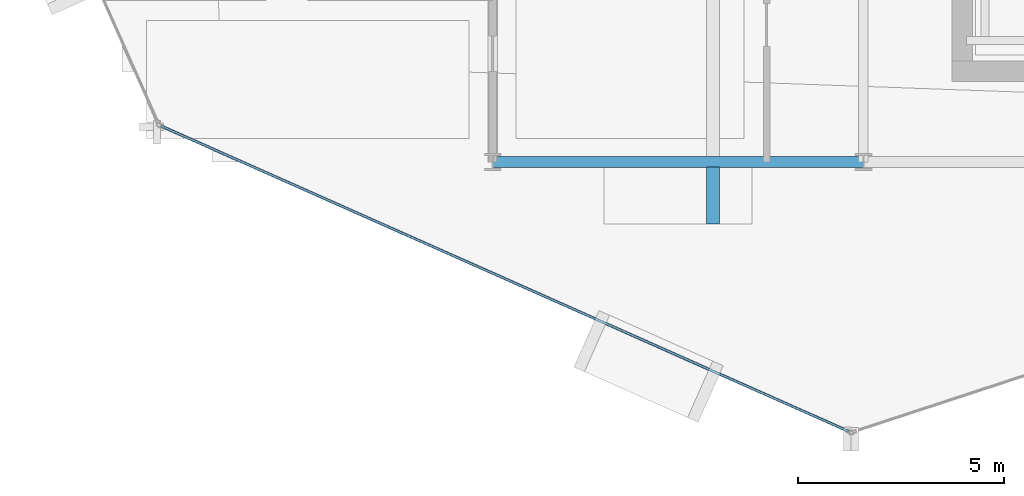
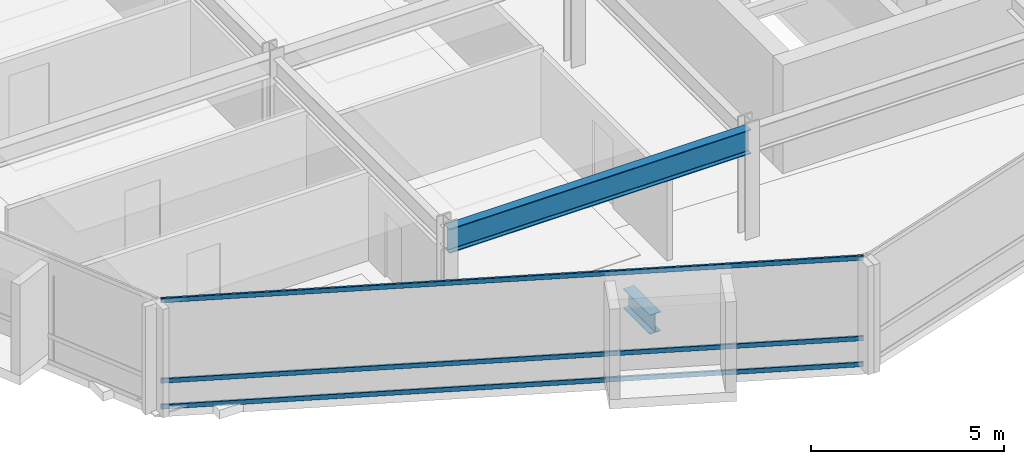
# One storey, part 3 of 27: 3 members, 2 beams, 1 element without a shape of its own.
"""IFC4 building model written with IfcOpenShell, lengths in metres."""

from ifc_helpers import new_model, si_unit, direction, frame, origin, origin_2d, place, context, subcontext, project, spatial, hollow_rectangle, i_section, extrude, material, layer, layer_set, material_profile, profile_set, type_object, element, aggregate, save


model = new_model("IFC4")

# Units and contexts
model_context = context("Model", 3, precision=1e-05, world=origin(), true_north=direction((0.0, 1.0)))
body_context = subcontext(model_context, "Body", "Model", "MODEL_VIEW")
ifc_project = project(units=[si_unit("LENGTHUNIT", "METRE"), si_unit("AREAUNIT", "SQUARE_METRE"), si_unit("VOLUMEUNIT", "CUBIC_METRE"), si_unit("PLANEANGLEUNIT", "RADIAN"), si_unit("MASSUNIT", "GRAM", prefix="KILO")], contexts=[model_context])

# Site, building, storey
site_placement = place(None, origin())
site = spatial("IfcSite", under=ifc_project, at=site_placement, CompositionType="ELEMENT")
building_placement = place(site_placement, origin())
building = spatial("IfcBuilding", under=site, at=building_placement, Name="Solvaryn Broadcast Tower", CompositionType="ELEMENT")
storey_placement = place(building_placement, frame((0.0, 0.0, 185.300048828125)))
storey = spatial("IfcBuildingStorey", under=building, at=storey_placement, Name="L46", CompositionType="ELEMENT", Elevation=185.300048828125)

# Beams
ifc_material_1 = material(Name="Steel ASTM A992 Grade 50", Category="steel")
ifc_material_profile_1 = material_profile(ifc_material_1, i_section(OverallWidth=0.323974609375, OverallDepth=0.611083984375, WebThickness=0.0126953125, FlangeThickness=0.01904296875, FilletRadius=0.014892578125, at=origin_2d()))
ifc_profile_set_1 = profile_set([ifc_material_profile_1], Name="Steel ASTM A992 Grade 50")
beam_type_1 = type_object("IfcBeamType", Name="BM-CANT-TER", PredefinedType="BEAM", material=ifc_profile_set_1)
beam_1_placement = place(storey_placement, frame((23.35009765625, 8.875, -0.58544921875), z_axis=(0.0, -1.0, 0.0), x_axis=(1.0, 0.0, 0.0)))
element("IfcBeam", 1, at=beam_1_placement, inside=storey, type_object=beam_type_1, Name="L46 Bay-Box Cantilever Bracket 1", PredefinedType="BEAM", context=body_context, shape_type="SweptSolid", body=[
    extrude(i_section(OverallWidth=0.323974609375, OverallDepth=0.611083984375, WebThickness=0.0126953125, FlangeThickness=0.01904296875, FilletRadius=0.014892578125, at=origin_2d()), origin(), (0.0, 0.0, 1.0), 1.375),
])
ifc_material_2 = material(Name="Steel ASTM A992 Grade 50", Category="steel")
ifc_material_profile_2 = material_profile(ifc_material_2, i_section(OverallWidth=0.26708984375, OverallDepth=0.76611328125, WebThickness=0.014892578125, FlangeThickness=0.023681640625, FilletRadius=0.01806640625, at=origin_2d()))
ifc_profile_set_2 = profile_set([ifc_material_profile_2], Name="Steel ASTM A992 Grade 50")
beam_type_2 = type_object("IfcBeamType", Name="BM-SP2-W30X124", PredefinedType="USERDEFINED", material=ifc_profile_set_2)
beam_2_placement = place(storey_placement, frame((18.0, 9.0, 3.036865234375), z_axis=(1.0, 0.0, 0.0), x_axis=(0.0, 1.0, 0.0)))
element("IfcBeam", 2, at=beam_2_placement, inside=storey, type_object=beam_type_2, Name="L46 Spandrel Beam X (18-27 @ Y=9)", ObjectType="SPANDREL", PredefinedType="USERDEFINED", context=body_context, shape_type="SweptSolid", body=[
    extrude(i_section(OverallWidth=0.26708984375, OverallDepth=0.76611328125, WebThickness=0.014892578125, FlangeThickness=0.023681640625, FilletRadius=0.01806640625, at=origin_2d()), origin(), (0.0, 0.0, 1.0), 9.0),
])

# Curtain wall, members
ifc_material_3 = material(Name="Aluminium and Terracotta Unitised Curtain Wall", Category="masonry")
ifc_layer = layer(ifc_material_3, 0.199951171875)
ifc_layer_set = layer_set([ifc_layer], Name="CW-SYS2-LOWMID")
curtain_wall_type = type_object("IfcCurtainWallType", Name="CW-SYS2-LOWMID", PredefinedType="NOTDEFINED", material=ifc_layer_set)
curtain_wall_placement = place(storey_placement, origin())
curtain_wall = element("IfcCurtainWall", 3, at=curtain_wall_placement, inside=storey, type_object=curtain_wall_type, Name="L46 Curtain Wall DR3", PredefinedType="NOTDEFINED")
ifc_material_4 = material(Name="Anodised Aluminium 6063-T6", Category="aluminium")
ifc_material_profile_3 = material_profile(ifc_material_4, hollow_rectangle(XDim=0.06494140625, YDim=0.14990234375, WallThickness=0.00390625, InnerFilletRadius=0.00390625, OuterFilletRadius=0.008056640625, at=origin_2d()))
ifc_profile_set_3 = profile_set([ifc_material_profile_3], Name="Anodised Aluminium 6063-T6")
member_type = type_object("IfcMemberType", Name="CW-TRN-150", PredefinedType="USERDEFINED", material=ifc_profile_set_3)
member_1_placement = place(storey_placement, frame((9.952880859375, 9.87353515625, 0.030029296875), z_axis=(0.913916761992, -0.405901653299, 0.0), x_axis=(0.405901653299, 0.913916761992, 0.0)))
member_1 = element("IfcMember", 4, at=member_1_placement, type_object=member_type, Name="CWS2 transom 1.1", ObjectType="TRANSOM", PredefinedType="USERDEFINED", context=body_context, shape_type="SweptSolid", body=[
    extrude(hollow_rectangle(XDim=0.06494140625, YDim=0.14990234375, WallThickness=0.00390625, InnerFilletRadius=0.00390625, OuterFilletRadius=0.008056640625, at=origin_2d()), origin(), (0.0, 0.0, 1.0), 18.27099609375),
])
member_2_placement = place(storey_placement, frame((9.952880859375, 9.87353515625, 0.849853515625), z_axis=(0.913916761992, -0.405901653299, 0.0), x_axis=(0.405901653299, 0.913916761992, 0.0)))
member_2 = element("IfcMember", 5, at=member_2_placement, type_object=member_type, Name="CWS2 transom 1.2", ObjectType="TRANSOM", PredefinedType="USERDEFINED", context=body_context, shape_type="SweptSolid", body=[
    extrude(hollow_rectangle(XDim=0.06494140625, YDim=0.14990234375, WallThickness=0.00390625, InnerFilletRadius=0.00390625, OuterFilletRadius=0.008056640625, at=origin_2d()), origin(), (0.0, 0.0, 1.0), 18.27099609375),
])
member_3_placement = place(storey_placement, frame((9.952880859375, 9.87353515625, 3.389892578125), z_axis=(0.913916761992, -0.405901653299, 0.0), x_axis=(0.405901653299, 0.913916761992, 0.0)))
member_3 = element("IfcMember", 6, at=member_3_placement, type_object=member_type, Name="CWS2 transom 1.3", ObjectType="TRANSOM", PredefinedType="USERDEFINED", context=body_context, shape_type="SweptSolid", body=[
    extrude(hollow_rectangle(XDim=0.06494140625, YDim=0.14990234375, WallThickness=0.00390625, InnerFilletRadius=0.00390625, OuterFilletRadius=0.008056640625, at=origin_2d()), origin(), (0.0, 0.0, 1.0), 18.27099609375),
])
aggregate(curtain_wall, [member_1, member_2, member_3])

save(model, "model.ifc")
